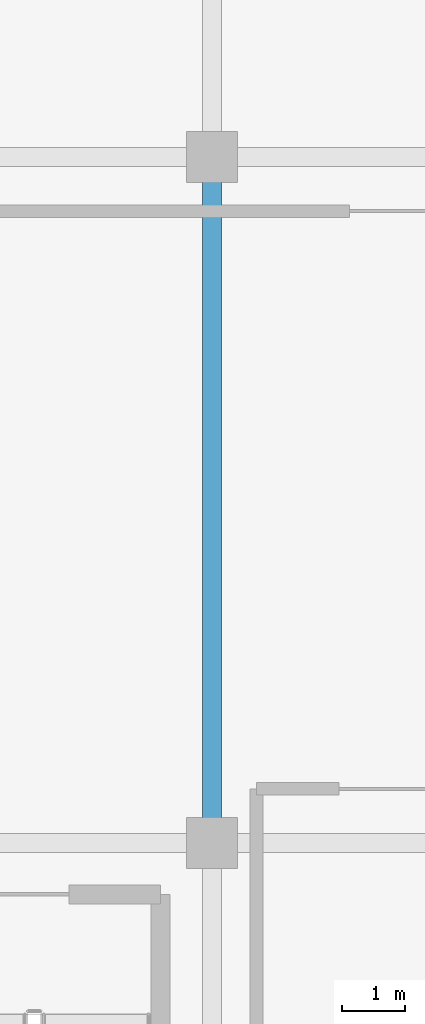
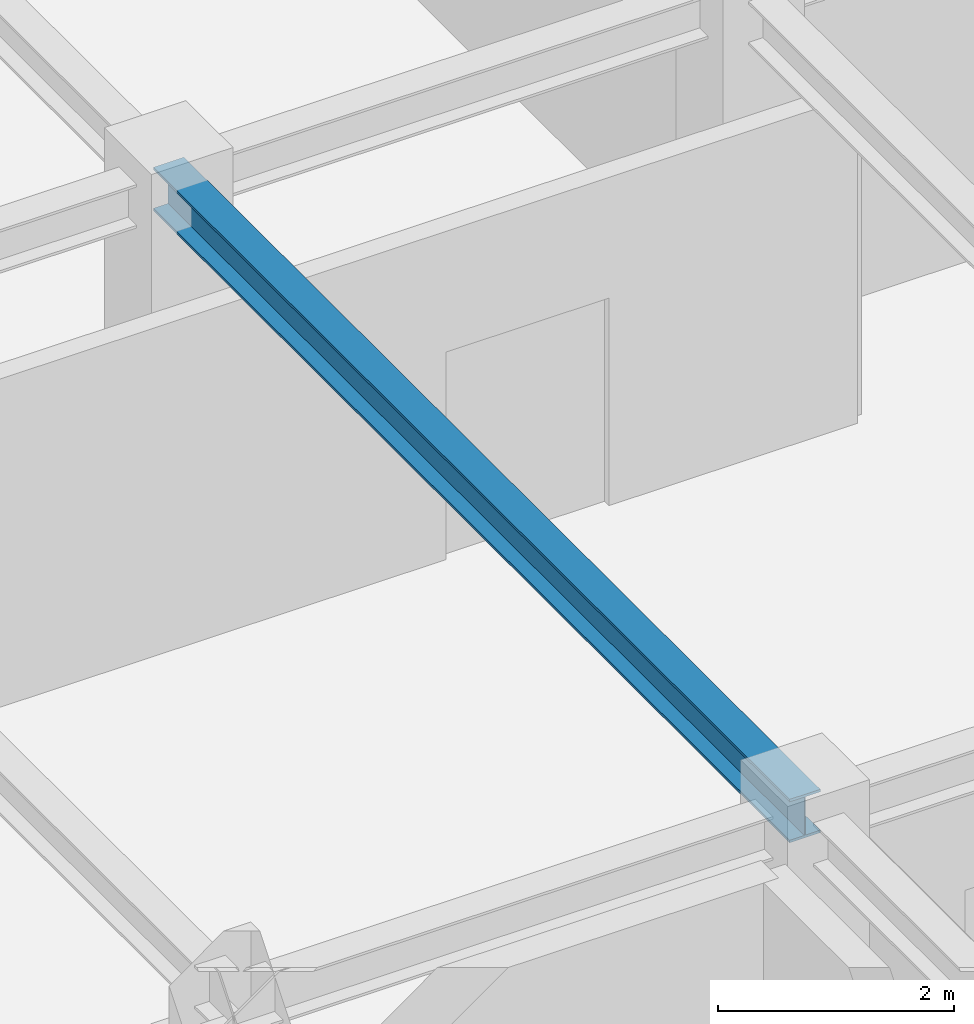
# One storey, part 7 of 18: 1 beam.
"""IFC4 building model written with IfcOpenShell, lengths in metres."""

from ifc_helpers import new_model, si_unit, direction, frame, origin, origin_2d, place, context, subcontext, project, spatial, i_section, extrude, source, transform, mapped, material, material_profile, profile_set, type_object, element, save


model = new_model("IFC4")

# Units and contexts
model_context = context("Model", 3, precision=1e-05, world=origin(), true_north=direction((0.0, 1.0)))
body_context = subcontext(model_context, "Body", "Model", "MODEL_VIEW")
ifc_project = project(units=[si_unit("LENGTHUNIT", "METRE"), si_unit("AREAUNIT", "SQUARE_METRE"), si_unit("VOLUMEUNIT", "CUBIC_METRE"), si_unit("PLANEANGLEUNIT", "RADIAN"), si_unit("MASSUNIT", "GRAM", prefix="KILO")], contexts=[model_context])

# Site, building, storey
site_placement = place(None, origin())
site = spatial("IfcSite", under=ifc_project, at=site_placement, CompositionType="ELEMENT")
building_placement = place(site_placement, origin())
building = spatial("IfcBuilding", under=site, at=building_placement, Name="Nahalor Promenade Grand Hotel", CompositionType="ELEMENT")
storey_placement = place(building_placement, frame((0.0, 0.0, 361.64990234375)))
storey = spatial("IfcBuildingStorey", under=building, at=storey_placement, Name="L92", CompositionType="ELEMENT", Elevation=361.64990234375)

# Beam
ifc_material = material(Name="Steel S355JR", Category="steel")
ifc_material_profile = material_profile(ifc_material, i_section(OverallWidth=0.3, OverallDepth=0.45, WebThickness=0.014, FlangeThickness=0.026, at=origin_2d()), Name="HEB 450")
ifc_profile_set = profile_set([ifc_material_profile], Name="Steel S355JR")
beam_type = type_object("IfcBeamType", Name="Beam-Girder-HEB450", PredefinedType="BEAM", material=ifc_profile_set)
shared_shape = source(origin(), body_context, "Body", "SweptSolid", [
    extrude(i_section(OverallWidth=0.3, OverallDepth=0.45, WebThickness=0.014, FlangeThickness=0.026, at=origin_2d()), origin(), (0.0, 0.0, 1.0), 10.7998046875),
])
beam_placement = place(storey_placement, frame((-2.800048828125, -5.39990234375, 4.0751953125), z_axis=(0.0, 1.0, 0.0), x_axis=(-1.0, 0.0, 0.0)))
element("IfcBeam", 1, at=beam_placement, inside=storey, type_object=beam_type, Name="BM-L92-GY-2-1", PredefinedType="BEAM", context=body_context, shape_type="MappedRepresentation", body=[
    mapped(shared_shape, transform((0.0, 0.0, 0.0), scale=1.0)),
])

save(model, "model.ifc")
